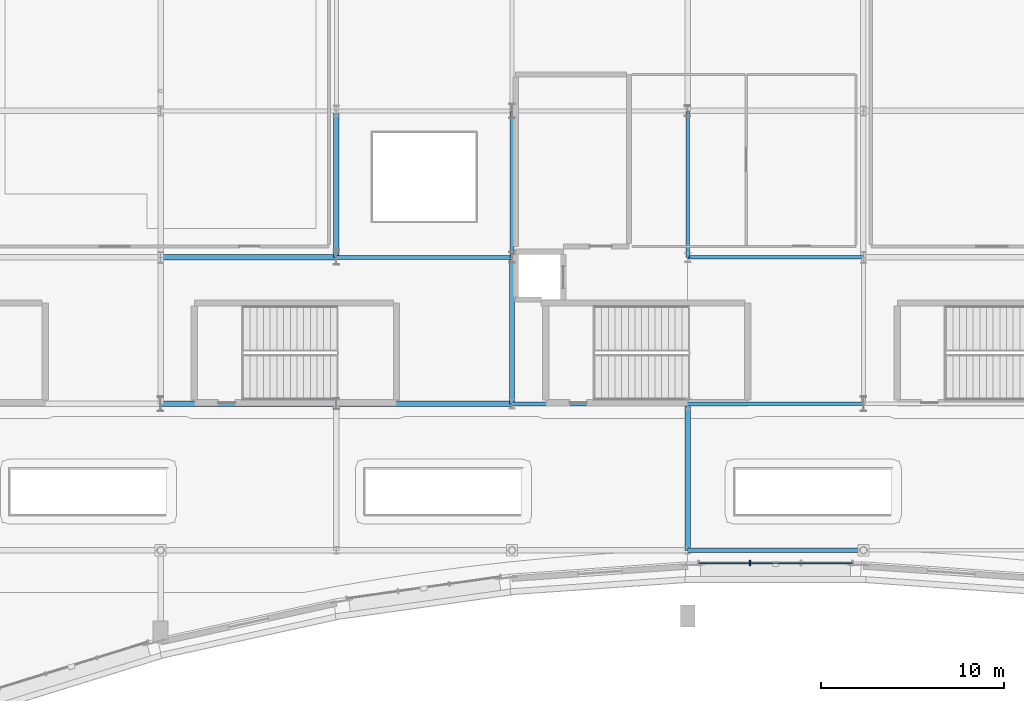
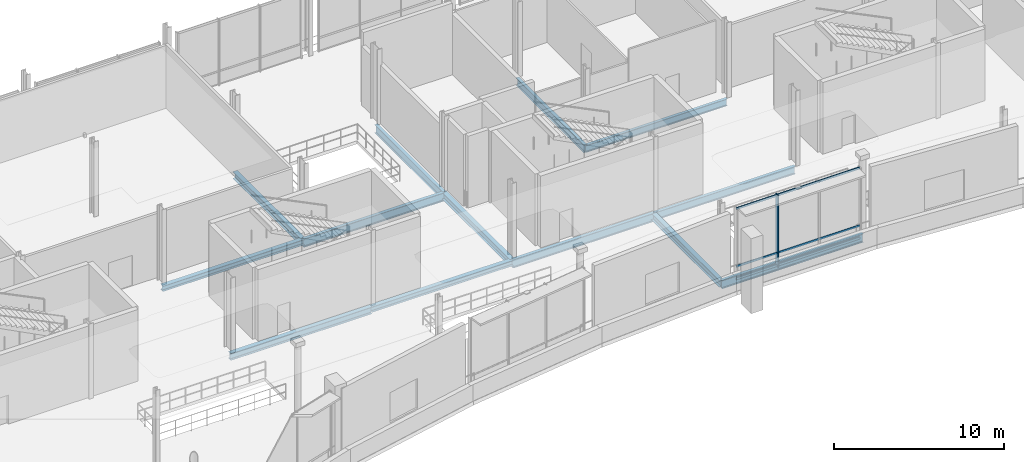
# One storey, part 30 of 129: 13 beams, 4 members, 1 element without a shape of its own.
"""IFC4 building model written with IfcOpenShell, lengths in metres."""

from ifc_helpers import new_model, si_unit, direction, frame, origin, origin_2d, place, context, subcontext, project, spatial, rectangle, i_section, extrude, material, material_profile, profile_set, type_object, element, aggregate, save


model = new_model("IFC4")

# Units and contexts
model_context = context("Model", 3, precision=1e-05, world=origin(), true_north=direction((0.0, 1.0)))
body_context = subcontext(model_context, "Body", "Model", "MODEL_VIEW")
ifc_project = project(units=[si_unit("LENGTHUNIT", "METRE"), si_unit("AREAUNIT", "SQUARE_METRE"), si_unit("VOLUMEUNIT", "CUBIC_METRE"), si_unit("PLANEANGLEUNIT", "RADIAN"), si_unit("MASSUNIT", "GRAM", prefix="KILO")], contexts=[model_context])

# Site, building, storey
site_placement = place(None, origin())
site = spatial("IfcSite", under=ifc_project, at=site_placement, CompositionType="ELEMENT")
building_placement = place(site_placement, origin())
building = spatial("IfcBuilding", under=site, at=building_placement, Name="Danafjord Basin Convention Centre", CompositionType="ELEMENT")
storey_placement = place(building_placement, frame((0.0, 0.0, 6.0)))
storey = spatial("IfcBuildingStorey", under=building, at=storey_placement, Name="L01", CompositionType="ELEMENT", Elevation=6.0)

# Beams
ifc_material_1 = material(Name="Steel S355", Category="steel")
ifc_material_profile_1 = material_profile(ifc_material_1, i_section(OverallWidth=0.300048828125, OverallDepth=0.389892578125, WebThickness=0.010986328125, FlangeThickness=0.01904296875, FilletRadius=0.027099609375, at=origin_2d()), Name="HEA 400")
ifc_profile_set_1 = profile_set([ifc_material_profile_1], Name="Steel S355")
beam_type_1 = type_object("IfcBeamType", Name="BEAM-BM-HEA400", PredefinedType="BEAM", material=ifc_profile_set_1)
beam_1_placement = place(storey_placement, frame((28.800048828125, 24.0, -0.425048828125), z_axis=(1.0, 0.0, 0.0), x_axis=(0.0, 1.0, 0.0)))
element("IfcBeam", 1, at=beam_1_placement, inside=storey, type_object=beam_type_1, Name="L01 girder BM-HEA400", PredefinedType="BEAM", context=body_context, shape_type="SweptSolid", body=[
    extrude(i_section(OverallWidth=0.300048828125, OverallDepth=0.389892578125, WebThickness=0.010986328125, FlangeThickness=0.01904296875, FilletRadius=0.027099609375, at=origin_2d()), origin(), (0.0, 0.0, 1.0), 9.599853515625),
])
beam_2_placement = place(storey_placement, frame((38.39990234375, 16.0, -0.425048828125), z_axis=(1.0, 0.0, 0.0), x_axis=(0.0, 1.0, 0.0)))
element("IfcBeam", 2, at=beam_2_placement, inside=storey, type_object=beam_type_1, Name="L01 girder BM-HEA400", PredefinedType="BEAM", context=body_context, shape_type="SweptSolid", body=[
    extrude(i_section(OverallWidth=0.300048828125, OverallDepth=0.389892578125, WebThickness=0.010986328125, FlangeThickness=0.01904296875, FilletRadius=0.027099609375, at=origin_2d()), origin(), (0.0, 0.0, 1.0), 9.60009765625),
])
ifc_material_profile_2 = material_profile(ifc_material_1, i_section(OverallWidth=0.300048828125, OverallDepth=0.489990234375, WebThickness=0.011962890625, FlangeThickness=0.02294921875, FilletRadius=0.027099609375, at=origin_2d()), Name="HEA 500")
ifc_profile_set_2 = profile_set([ifc_material_profile_2], Name="Steel S355")
beam_type_2 = type_object("IfcBeamType", Name="BEAM-BM-HEA500", PredefinedType="BEAM", material=ifc_profile_set_2)
beam_3_placement = place(storey_placement, frame((28.800048828125, 16.0, -0.47509765625), z_axis=(1.0, 0.0, 0.0), x_axis=(0.0, 1.0, 0.0)))
element("IfcBeam", 3, at=beam_3_placement, inside=storey, type_object=beam_type_2, Name="L01 girder BM-HEA500", PredefinedType="BEAM", context=body_context, shape_type="SweptSolid", body=[
    extrude(i_section(OverallWidth=0.300048828125, OverallDepth=0.489990234375, WebThickness=0.011962890625, FlangeThickness=0.02294921875, FilletRadius=0.027099609375, at=origin_2d()), origin(), (0.0, 0.0, 1.0), 9.599853515625),
])
ifc_material_profile_3 = material_profile(ifc_material_1, i_section(OverallWidth=0.300048828125, OverallDepth=0.5, WebThickness=0.014404296875, FlangeThickness=0.028076171875, FilletRadius=0.027099609375, at=origin_2d()), Name="HEB 500")
ifc_profile_set_3 = profile_set([ifc_material_profile_3], Name="Steel S355")
beam_type_3 = type_object("IfcBeamType", Name="BEAM-BM-HEB500", PredefinedType="BEAM", material=ifc_profile_set_3)
for number, where, z_axis, x_axis, name in (
    (4, (38.39990234375, 24.0, -0.47998046875), (0.0, 1.0, 0.0), (-1.0, 0.0, 0.0), "L01 transverse girder BM-HEB500"),
    (5, (48.0, 16.0, -0.47998046875), (0.0, 1.0, 0.0), (-1.0, 0.0, 0.0), "L01 transverse girder BM-HEB500"),
    (6, (57.60009765625, 8.0, -0.47998046875), (0.0, 1.0, 0.0), (-1.0, 0.0, 0.0), "L01 transverse girder BM-HEB500"),
):
    element("IfcBeam", number, at=place(storey_placement, frame(where, z_axis=z_axis, x_axis=x_axis)), inside=storey, type_object=beam_type_3, Name=name, PredefinedType="BEAM", context=body_context, shape_type="SweptSolid", body=[
        extrude(i_section(OverallWidth=0.300048828125, OverallDepth=0.5, WebThickness=0.014404296875, FlangeThickness=0.028076171875, FilletRadius=0.027099609375, at=origin_2d()), origin(), (0.0, 0.0, 1.0), 8.0),
    ])
ifc_material_profile_4 = material_profile(ifc_material_1, i_section(OverallWidth=0.199951171875, OverallDepth=0.5, WebThickness=0.01025390625, FlangeThickness=0.01611328125, FilletRadius=0.02099609375, at=origin_2d()), Name="IPE 500")
ifc_profile_set_4 = profile_set([ifc_material_profile_4], Name="Steel S355")
beam_type_4 = type_object("IfcBeamType", Name="BEAM-BM-IPE500", PredefinedType="BEAM", material=ifc_profile_set_4)
beam_4_placement = place(storey_placement, frame((57.60009765625, 24.0, -0.47998046875), z_axis=(1.0, 0.0, 0.0), x_axis=(0.0, 1.0, 0.0)))
element("IfcBeam", 7, at=beam_4_placement, inside=storey, type_object=beam_type_4, Name="L01 girder BM-IPE500", PredefinedType="BEAM", context=body_context, shape_type="SweptSolid", body=[
    extrude(i_section(OverallWidth=0.199951171875, OverallDepth=0.5, WebThickness=0.01025390625, FlangeThickness=0.01611328125, FilletRadius=0.02099609375, at=origin_2d()), origin(), (0.0, 0.0, 1.0), 9.599853515625),
])
ifc_material_profile_5 = material_profile(ifc_material_1, i_section(OverallWidth=0.2099609375, OverallDepth=0.550048828125, WebThickness=0.010986328125, FlangeThickness=0.01708984375, FilletRadius=0.02392578125, at=origin_2d()), Name="IPE 550")
ifc_profile_set_5 = profile_set([ifc_material_profile_5], Name="Steel S355")
beam_type_5 = type_object("IfcBeamType", Name="BEAM-BM-IPE550", PredefinedType="BEAM", material=ifc_profile_set_5)
beam_5_placement = place(storey_placement, frame((57.60009765625, 16.0, -0.5048828125), z_axis=(1.0, 0.0, 0.0), x_axis=(0.0, 1.0, 0.0)))
element("IfcBeam", 8, at=beam_5_placement, inside=storey, type_object=beam_type_5, Name="L01 girder BM-IPE550", PredefinedType="BEAM", context=body_context, shape_type="SweptSolid", body=[
    extrude(i_section(OverallWidth=0.2099609375, OverallDepth=0.550048828125, WebThickness=0.010986328125, FlangeThickness=0.01708984375, FilletRadius=0.02392578125, at=origin_2d()), origin(), (0.0, 0.0, 1.0), 9.599853515625),
])
beam_6_placement = place(storey_placement, frame((57.60009765625, 24.0, -0.5048828125), z_axis=(0.0, 1.0, 0.0), x_axis=(-1.0, 0.0, 0.0)))
element("IfcBeam", 9, at=beam_6_placement, inside=storey, type_object=beam_type_5, Name="L01 transverse girder BM-IPE550", PredefinedType="BEAM", context=body_context, shape_type="SweptSolid", body=[
    extrude(i_section(OverallWidth=0.2099609375, OverallDepth=0.550048828125, WebThickness=0.010986328125, FlangeThickness=0.01708984375, FilletRadius=0.02392578125, at=origin_2d()), origin(), (0.0, 0.0, 1.0), 8.0),
])
ifc_material_profile_6 = material_profile(ifc_material_1, i_section(OverallWidth=0.219970703125, OverallDepth=0.60009765625, WebThickness=0.011962890625, FlangeThickness=0.01904296875, FilletRadius=0.02392578125, at=origin_2d()), Name="IPE 600")
ifc_profile_set_6 = profile_set([ifc_material_profile_6], Name="Steel S355")
beam_type_6 = type_object("IfcBeamType", Name="BEAM-BM-IPE600", PredefinedType="BEAM", material=ifc_profile_set_6)
for number, where, z_axis, x_axis, name in (
    (10, (38.39990234375, 24.0, -0.530029296875), (1.0, 0.0, 0.0), (0.0, 1.0, 0.0), "L01 girder BM-IPE600"),
    (11, (48.0, 16.0, -0.530029296875), (1.0, 0.0, 0.0), (0.0, 1.0, 0.0), "L01 girder BM-IPE600"),
):
    element("IfcBeam", number, at=place(storey_placement, frame(where, z_axis=z_axis, x_axis=x_axis)), inside=storey, type_object=beam_type_6, Name=name, PredefinedType="BEAM", context=body_context, shape_type="SweptSolid", body=[
        extrude(i_section(OverallWidth=0.219970703125, OverallDepth=0.60009765625, WebThickness=0.011962890625, FlangeThickness=0.01904296875, FilletRadius=0.02392578125, at=origin_2d()), origin(), (0.0, 0.0, 1.0), 9.60009765625),
    ])
beam_7_placement = place(storey_placement, frame((57.60009765625, 8.0, -0.530029296875), z_axis=(1.0, 0.0, 0.0), x_axis=(0.0, 1.0, 0.0)))
element("IfcBeam", 12, at=beam_7_placement, inside=storey, type_object=beam_type_6, Name="L01 girder BM-IPE600", PredefinedType="BEAM", context=body_context, shape_type="SweptSolid", body=[
    extrude(i_section(OverallWidth=0.219970703125, OverallDepth=0.60009765625, WebThickness=0.011962890625, FlangeThickness=0.01904296875, FilletRadius=0.02392578125, at=origin_2d()), origin(), (0.0, 0.0, 1.0), 9.599853515625),
])
beam_8_placement = place(storey_placement, frame((48.0, 24.0, -0.530029296875), z_axis=(0.0, 1.0, 0.0), x_axis=(-1.0, 0.0, 0.0)))
element("IfcBeam", 13, at=beam_8_placement, inside=storey, type_object=beam_type_6, Name="L01 transverse girder BM-IPE600", PredefinedType="BEAM", context=body_context, shape_type="SweptSolid", body=[
    extrude(i_section(OverallWidth=0.219970703125, OverallDepth=0.60009765625, WebThickness=0.011962890625, FlangeThickness=0.01904296875, FilletRadius=0.02392578125, at=origin_2d()), origin(), (0.0, 0.0, 1.0), 8.0),
])

# Curtain wall, members
ifc_material_2 = material(Name="Anodised aluminium and triple glazing", Category="aluminium")
curtain_wall_type = type_object("IfcCurtainWallType", Name="CW-CW-HARB", PredefinedType="NOTDEFINED", material=ifc_material_2)
curtain_wall_placement = place(storey_placement, origin())
curtain_wall = element("IfcCurtainWall", 14, at=curtain_wall_placement, inside=storey, type_object=curtain_wall_type, Name="L01 CW-HARB unitised curtain wall bay 19", PredefinedType="NOTDEFINED")
ifc_material_3 = material(Name="Anodised aluminium EN AW-6060", Category="aluminium")
ifc_material_profile_7 = material_profile(ifc_material_3, rectangle(XDim=0.080078125, YDim=0.300048828125, at=origin_2d()), Name="MULL 80x300")
ifc_profile_set_7 = profile_set([ifc_material_profile_7], Name="Anodised aluminium EN AW-6060")
member_type_1 = type_object("IfcMemberType", Name="MEM-ML-300", PredefinedType="MULLION", material=ifc_profile_set_7)
member_1_placement = place(storey_placement, frame((61.0, 7.300048828125, -0.02490234375), z_axis=(0.0, 0.0, 1.0), x_axis=(1.0, 0.0, 0.0)))
member_1 = element("IfcMember", 15, at=member_1_placement, type_object=member_type_1, Name="CW-L01-019 mullion 2", PredefinedType="MULLION", context=body_context, shape_type="SweptSolid", body=[
    extrude(rectangle(XDim=0.080078125, YDim=0.300048828125, at=origin_2d()), origin(), (0.0, 0.0, 1.0), 5.184814453125),
])
ifc_material_profile_8 = material_profile(ifc_material_3, rectangle(XDim=0.06005859375, YDim=0.14990234375, at=origin_2d()), Name="TRAN 60x150")
ifc_profile_set_8 = profile_set([ifc_material_profile_8], Name="Anodised aluminium EN AW-6060")
member_type_2 = type_object("IfcMemberType", Name="MEM-TR-150", PredefinedType="USERDEFINED", material=ifc_profile_set_8)
member_2_placement = place(storey_placement, frame((58.199951171875, 7.300048828125, 0.06005859375), z_axis=(1.0, 0.0, 0.0), x_axis=(0.0, 1.0, 0.0)))
member_2 = element("IfcMember", 16, at=member_2_placement, type_object=member_type_2, Name="CW-L01-019 transom 1", ObjectType="TRANSOM", PredefinedType="USERDEFINED", context=body_context, shape_type="SweptSolid", body=[
    extrude(rectangle(XDim=0.06005859375, YDim=0.14990234375, at=origin_2d()), origin(), (0.0, 0.0, 1.0), 8.400146484375),
])
member_3_placement = place(storey_placement, frame((58.199951171875, 7.300048828125, 0.949951171875), z_axis=(1.0, 0.0, 0.0), x_axis=(0.0, 1.0, 0.0)))
member_3 = element("IfcMember", 17, at=member_3_placement, type_object=member_type_2, Name="CW-L01-019 transom 2", ObjectType="TRANSOM", PredefinedType="USERDEFINED", context=body_context, shape_type="SweptSolid", body=[
    extrude(rectangle(XDim=0.06005859375, YDim=0.14990234375, at=origin_2d()), origin(), (0.0, 0.0, 1.0), 8.400146484375),
])
member_4_placement = place(storey_placement, frame((58.199951171875, 7.300048828125, 5.090087890625), z_axis=(1.0, 0.0, 0.0), x_axis=(0.0, 1.0, 0.0)))
member_4 = element("IfcMember", 18, at=member_4_placement, type_object=member_type_2, Name="CW-L01-019 transom 3", ObjectType="TRANSOM", PredefinedType="USERDEFINED", context=body_context, shape_type="SweptSolid", body=[
    extrude(rectangle(XDim=0.06005859375, YDim=0.14990234375, at=origin_2d()), origin(), (0.0, 0.0, 1.0), 8.400146484375),
])
aggregate(curtain_wall, [member_1, member_2, member_3, member_4])

save(model, "model.ifc")
